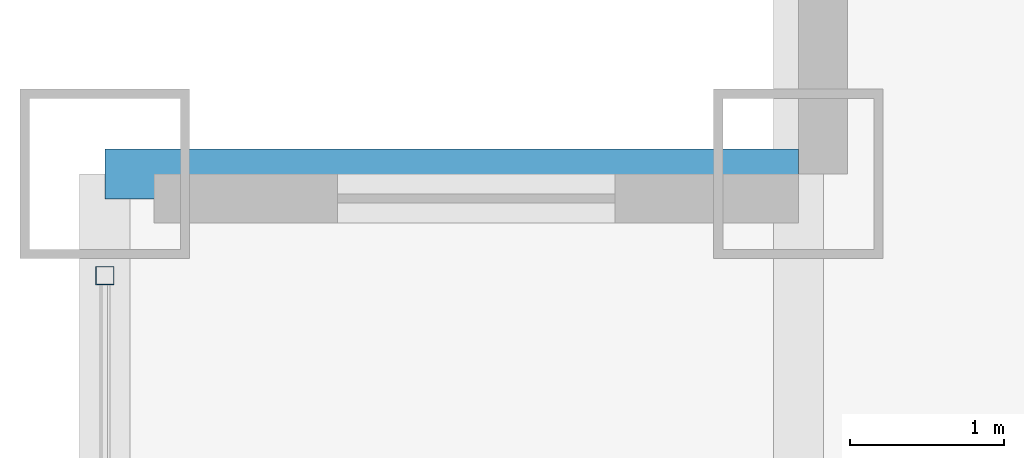
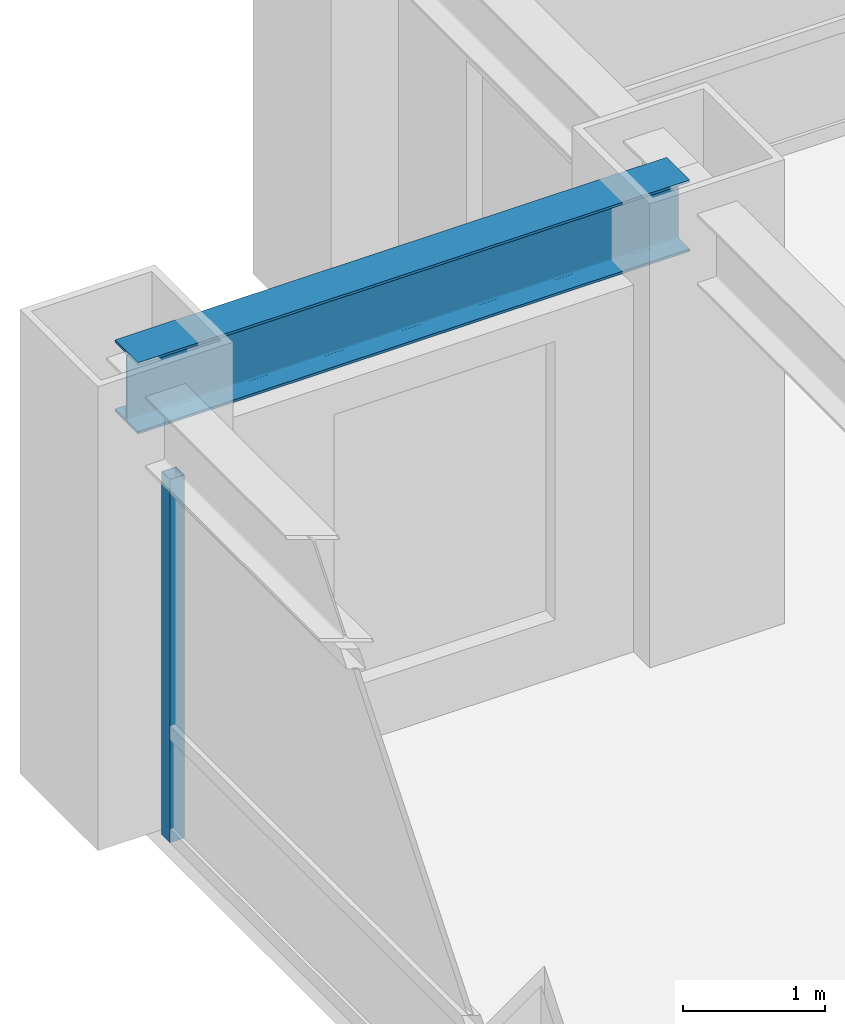
# One storey, part 12 of 24: 1 beam, 1 member, 1 element without a shape of its own.
"""IFC4 building model written with IfcOpenShell, lengths in metres."""

from ifc_helpers import new_model, si_unit, direction, frame, origin, origin_2d, place, context, subcontext, project, spatial, hollow_rectangle, i_section, extrude, source, transform, mapped, material, material_profile, profile_set, type_object, element, aggregate, save


model = new_model("IFC4")

# Units and contexts
model_context = context("Model", 3, precision=1e-05, world=origin(), true_north=direction((0.0, 1.0)))
body_context = subcontext(model_context, "Body", "Model", "MODEL_VIEW")
ifc_project = project(units=[si_unit("LENGTHUNIT", "METRE"), si_unit("AREAUNIT", "SQUARE_METRE"), si_unit("VOLUMEUNIT", "CUBIC_METRE"), si_unit("PLANEANGLEUNIT", "RADIAN"), si_unit("MASSUNIT", "GRAM", prefix="KILO")], contexts=[model_context])

# Site, building, storey
site_placement = place(None, origin())
site = spatial("IfcSite", under=ifc_project, at=site_placement, CompositionType="ELEMENT")
building_placement = place(site_placement, origin())
building = spatial("IfcBuilding", under=site, at=building_placement, Name="Khorayat Bourse Tower", CompositionType="ELEMENT")
storey_placement = place(building_placement, frame((0.0, 0.0, 179.10009765625)))
storey = spatial("IfcBuildingStorey", under=building, at=storey_placement, Name="L41", CompositionType="ELEMENT", Elevation=179.10009765625)

# Beam
ifc_material_1 = material(Name="Steel ASTM A992 Grade 50", Category="steel")
ifc_material_profile_1 = material_profile(ifc_material_1, i_section(OverallWidth=0.324951171875, OverallDepth=0.615966796875, WebThickness=0.013916015625, FlangeThickness=0.021484375, FilletRadius=0.01611328125, at=origin_2d()), Name="W610X174")
ifc_profile_set_1 = profile_set([ifc_material_profile_1], Name="Steel ASTM A992 Grade 50")
beam_type = type_object("IfcBeamType", Name="BM-SPAN-610", PredefinedType="SPANDREL", material=ifc_profile_set_1)
shared_shape_1 = source(origin(), body_context, "Body", "SweptSolid", [
    extrude(i_section(OverallWidth=0.324951171875, OverallDepth=0.615966796875, WebThickness=0.013916015625, FlangeThickness=0.021484375, FilletRadius=0.01611328125, at=origin_2d()), origin(), (0.0, 0.0, 1.0), 4.5),
])
beam_placement = place(storey_placement, frame((-30.0, 25.5, 3.471923828125), z_axis=(1.0, 0.0, 0.0), x_axis=(0.0, 1.0, 0.0)))
element("IfcBeam", 1, at=beam_placement, inside=storey, type_object=beam_type, Name="L41 BM-SPAN-610 BM-L41-SPN-053", PredefinedType="SPANDREL", context=body_context, shape_type="MappedRepresentation", body=[
    mapped(shared_shape_1, transform((0.0, 0.0, 0.0), scale=1.0)),
])

# Curtain wall, member
ifc_material_2 = material(Name="Aluminium EN AW-6063 T6", Category="aluminium")
curtain_wall_type = type_object("IfcCurtainWallType", Name="CW-SYS-03", PredefinedType="NOTDEFINED", material=ifc_material_2)
curtain_wall_placement = place(storey_placement, origin())
curtain_wall = element("IfcCurtainWall", 2, at=curtain_wall_placement, inside=storey, type_object=curtain_wall_type, Name="L41 Curtain Wall CW-L41-W1", PredefinedType="NOTDEFINED")
ifc_material_profile_2 = material_profile(ifc_material_2, hollow_rectangle(XDim=0.1201171875, YDim=0.1201171875, WallThickness=0.0048828125, at=origin_2d()), Name="ALU 120x120x5")
ifc_profile_set_2 = profile_set([ifc_material_profile_2], Name="Aluminium EN AW-6063 T6")
member_type = type_object("IfcMemberType", Name="CWM-VERT-120", PredefinedType="MULLION", material=ifc_profile_set_2)
shared_shape_2 = source(origin(), body_context, "Body", "SweptSolid", [
    extrude(hollow_rectangle(XDim=0.1201171875, YDim=0.1201171875, WallThickness=0.0048828125, at=origin_2d()), origin(), (0.0, 0.0, 1.0), 3.1298828125),
])
member_placement = place(storey_placement, frame((-30.0, 24.840087890625, 0.0), z_axis=(0.0, 0.0, 1.0), x_axis=(-1.0, 0.0, 0.0)))
member = element("IfcMember", 3, at=member_placement, type_object=member_type, Name="CW-L41-W1 Vertical Mullion 3", PredefinedType="MULLION", context=body_context, shape_type="MappedRepresentation", body=[
    mapped(shared_shape_2, transform((0.0, 0.0, 0.0), scale=1.0)),
])
aggregate(curtain_wall, [member])

save(model, "model.ifc")
